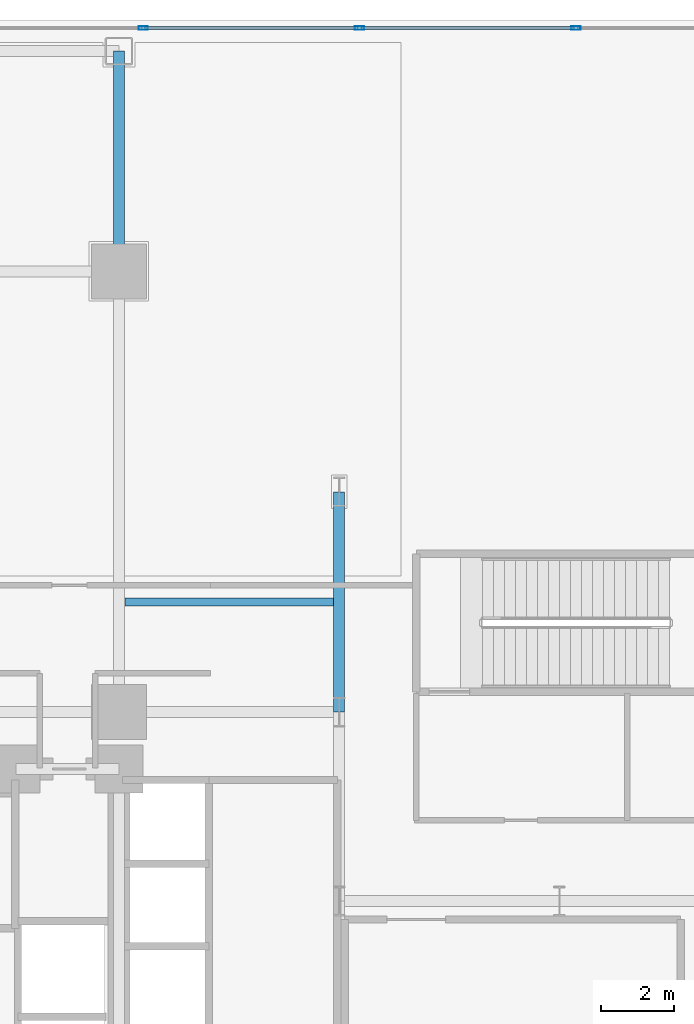
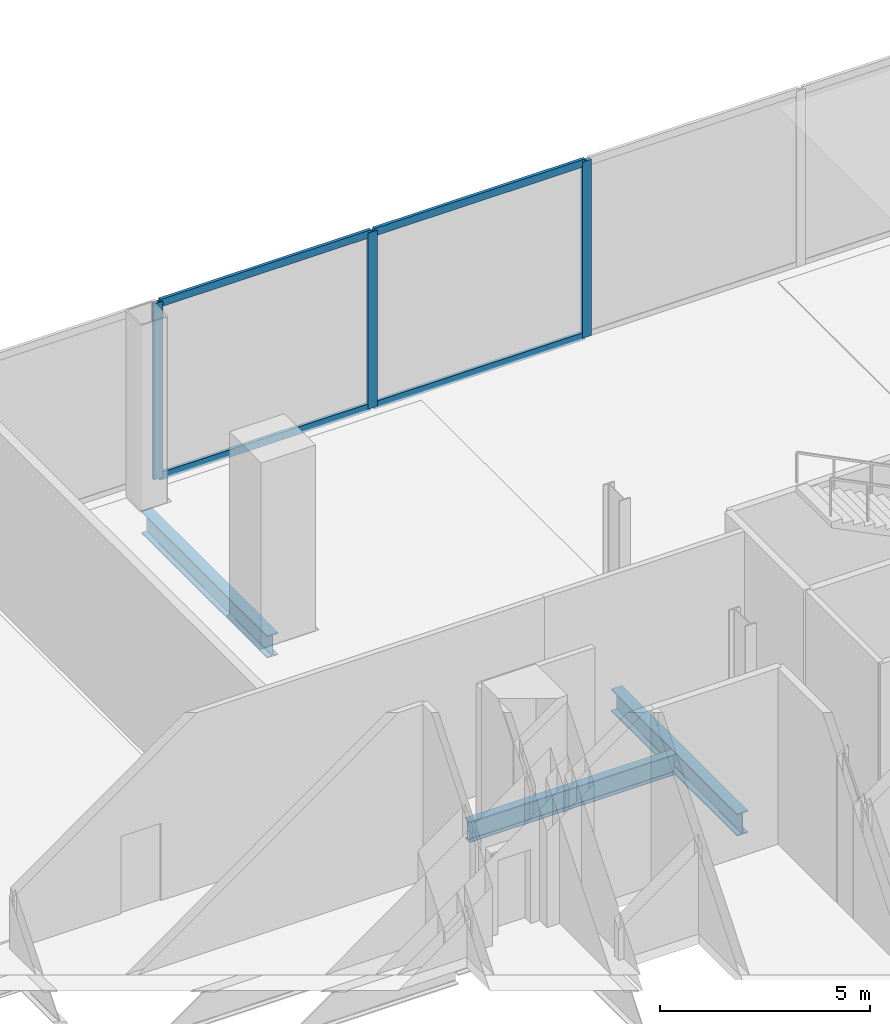
# One storey, part 15 of 27: 7 members, 3 beams, 1 element without a shape of its own.
"""IFC4 building model written with IfcOpenShell, lengths in metres."""

from ifc_helpers import new_model, si_unit, direction, frame, origin, origin_2d, place, context, subcontext, project, spatial, hollow_rectangle, i_section, extrude, material, layer, layer_set, material_profile, profile_set, type_object, element, aggregate, save


model = new_model("IFC4")

# Units and contexts
model_context = context("Model", 3, precision=1e-05, world=origin(), true_north=direction((0.0, 1.0)))
body_context = subcontext(model_context, "Body", "Model", "MODEL_VIEW")
ifc_project = project(units=[si_unit("LENGTHUNIT", "METRE"), si_unit("AREAUNIT", "SQUARE_METRE"), si_unit("VOLUMEUNIT", "CUBIC_METRE"), si_unit("PLANEANGLEUNIT", "RADIAN"), si_unit("MASSUNIT", "GRAM", prefix="KILO"), si_unit("THERMODYNAMICTEMPERATUREUNIT", "KELVIN"), si_unit("POWERUNIT", "WATT")], contexts=[model_context])

# Site, building, storey
site_placement = place(None, origin())
site = spatial("IfcSite", under=ifc_project, at=site_placement, CompositionType="ELEMENT")
building_placement = place(site_placement, origin())
building = spatial("IfcBuilding", under=site, at=building_placement, Name="Svarakhadi Broadcast Tower", CompositionType="ELEMENT")
storey_placement = place(building_placement, frame((0.0, 0.0, 5.699951171875)))
storey = spatial("IfcBuildingStorey", under=building, at=storey_placement, Name="L01", CompositionType="ELEMENT", Elevation=5.699951171875)

# Beam
ifc_material_1 = material(Name="Steel S355J2 (IS 2062 E350C)", Category="steel")
ifc_material_profile_1 = material_profile(ifc_material_1, i_section(OverallWidth=0.219970703125, OverallDepth=0.60009765625, WebThickness=0.011962890625, FlangeThickness=0.01904296875, FilletRadius=0.02392578125, at=origin_2d()), Name="NPB 600x220x122")
ifc_profile_set_1 = profile_set([ifc_material_profile_1], Name="Steel S355J2 (IS 2062 E350C)")
beam_type_1 = type_object("IfcBeamType", Name="Beam_NPB600", PredefinedType="BEAM", material=ifc_profile_set_1)
beam_placement = place(storey_placement, frame((18.159912109375, 32.14990234375, -0.599853515625), z_axis=(1.0, 0.0, 0.0), x_axis=(0.0, 1.0, 0.0)))
element("IfcBeam", 1, at=beam_placement, inside=storey, type_object=beam_type_1, Name="L01 Secondary Composite Beam SB016", PredefinedType="BEAM", context=body_context, shape_type="SweptSolid", body=[
    extrude(i_section(OverallWidth=0.219970703125, OverallDepth=0.60009765625, WebThickness=0.011962890625, FlangeThickness=0.01904296875, FilletRadius=0.02392578125, at=origin_2d()), origin(), (0.0, 0.0, 1.0), 5.68017578125),
])

# Curtain wall, members
ifc_material_2 = material(Name="Anodised Bronze Aluminium AA 6063-T6", Category="aluminium")
ifc_layer = layer(ifc_material_2, 0.25)
ifc_layer_set = layer_set([ifc_layer], Name="Anodised Bronze Aluminium AA 6063-T6")
curtain_wall_type = type_object("IfcCurtainWallType", Name="CW_Sys_01", PredefinedType="NOTDEFINED", material=ifc_layer_set)
curtain_wall_placement = place(storey_placement, origin())
curtain_wall = element("IfcCurtainWall", 2, at=curtain_wall_placement, inside=storey, type_object=curtain_wall_type, Name="L01 Unitised Facade Curtain Wall 05 Bay 2", PredefinedType="NOTDEFINED")
ifc_material_profile_2 = material_profile(ifc_material_2, hollow_rectangle(XDim=0.094970703125, YDim=0.25, WallThickness=0.006103515625, at=origin_2d()), Name="ALU MULLION 250x95x6")
ifc_profile_set_2 = profile_set([ifc_material_profile_2], Name="Anodised Bronze Aluminium AA 6063-T6")
member_type_1 = type_object("IfcMemberType", Name="CW_Sys_01_Mul", PredefinedType="MULLION", material=ifc_profile_set_2)
member_1_placement = place(storey_placement, frame((18.66259765625, 47.780029296875, 0.0), z_axis=(0.0, 0.0, 1.0), x_axis=(0.0, 1.0, 0.0)))
member_1 = element("IfcMember", 3, at=member_1_placement, type_object=member_type_1, Name="CW-01 mullion 2", PredefinedType="MULLION", context=body_context, shape_type="SweptSolid", body=[
    extrude(hollow_rectangle(XDim=0.094970703125, YDim=0.25, WallThickness=0.006103515625, at=origin_2d()), origin(), (0.0, 0.0, 1.0), 5.125),
])
member_2_placement = place(storey_placement, frame((24.554931640625, 47.780029296875, 0.0), z_axis=(0.0, 0.0, 1.0), x_axis=(0.0, 1.0, 0.0)))
member_2 = element("IfcMember", 4, at=member_2_placement, type_object=member_type_1, Name="CW-01 mullion 3", PredefinedType="MULLION", context=body_context, shape_type="SweptSolid", body=[
    extrude(hollow_rectangle(XDim=0.094970703125, YDim=0.25, WallThickness=0.006103515625, at=origin_2d()), origin(), (0.0, 0.0, 1.0), 5.125),
])
member_3_placement = place(storey_placement, frame((30.447509765625, 47.780029296875, 0.0), z_axis=(0.0, 0.0, 1.0), x_axis=(0.0, 1.0, 0.0)))
member_3 = element("IfcMember", 5, at=member_3_placement, type_object=member_type_1, Name="CW-01 mullion 4", PredefinedType="MULLION", context=body_context, shape_type="SweptSolid", body=[
    extrude(hollow_rectangle(XDim=0.094970703125, YDim=0.25, WallThickness=0.006103515625, at=origin_2d()), origin(), (0.0, 0.0, 1.0), 5.125),
])
ifc_material_profile_3 = material_profile(ifc_material_2, hollow_rectangle(XDim=0.0849609375, YDim=0.219970703125, WallThickness=0.0048828125, at=origin_2d()), Name="ALU TRANSOM 220x85x5")
ifc_profile_set_3 = profile_set([ifc_material_profile_3], Name="Anodised Bronze Aluminium AA 6063-T6")
member_type_2 = type_object("IfcMemberType", Name="CW_Sys_01_Trn", PredefinedType="USERDEFINED", material=ifc_profile_set_3)
member_4_placement = place(storey_placement, frame((18.7099609375, 47.780029296875, 0.04248046875), z_axis=(1.0, 0.0, 0.0), x_axis=(0.0, 1.0, 0.0)))
member_4 = element("IfcMember", 6, at=member_4_placement, type_object=member_type_2, Name="CW-01 transom 2.1", ObjectType="TRANSOM", PredefinedType="USERDEFINED", context=body_context, shape_type="SweptSolid", body=[
    extrude(hollow_rectangle(XDim=0.0849609375, YDim=0.219970703125, WallThickness=0.0048828125, at=origin_2d()), origin(), (0.0, 0.0, 1.0), 5.797607421875),
])
member_5_placement = place(storey_placement, frame((18.7099609375, 47.780029296875, 5.08251953125), z_axis=(1.0, 0.0, 0.0), x_axis=(0.0, 1.0, 0.0)))
member_5 = element("IfcMember", 7, at=member_5_placement, type_object=member_type_2, Name="CW-01 transom 2.2", ObjectType="TRANSOM", PredefinedType="USERDEFINED", context=body_context, shape_type="SweptSolid", body=[
    extrude(hollow_rectangle(XDim=0.0849609375, YDim=0.219970703125, WallThickness=0.0048828125, at=origin_2d()), origin(), (0.0, 0.0, 1.0), 5.797607421875),
])
member_6_placement = place(storey_placement, frame((24.6025390625, 47.780029296875, 0.04248046875), z_axis=(1.0, 0.0, 0.0), x_axis=(0.0, 1.0, 0.0)))
member_6 = element("IfcMember", 8, at=member_6_placement, type_object=member_type_2, Name="CW-01 transom 3.1", ObjectType="TRANSOM", PredefinedType="USERDEFINED", context=body_context, shape_type="SweptSolid", body=[
    extrude(hollow_rectangle(XDim=0.0849609375, YDim=0.219970703125, WallThickness=0.0048828125, at=origin_2d()), origin(), (0.0, 0.0, 1.0), 5.79736328125),
])
member_7_placement = place(storey_placement, frame((24.6025390625, 47.780029296875, 5.08251953125), z_axis=(1.0, 0.0, 0.0), x_axis=(0.0, 1.0, 0.0)))
member_7 = element("IfcMember", 9, at=member_7_placement, type_object=member_type_2, Name="CW-01 transom 3.2", ObjectType="TRANSOM", PredefinedType="USERDEFINED", context=body_context, shape_type="SweptSolid", body=[
    extrude(hollow_rectangle(XDim=0.0849609375, YDim=0.219970703125, WallThickness=0.0048828125, at=origin_2d()), origin(), (0.0, 0.0, 1.0), 5.79736328125),
])
aggregate(curtain_wall, [member_1, member_2, member_3, member_4, member_5, member_6, member_7])

# Beams
ifc_material_profile_4 = material_profile(ifc_material_1, i_section(OverallWidth=0.300048828125, OverallDepth=0.64990234375, WebThickness=0.01611328125, FlangeThickness=0.031005859375, FilletRadius=0.027099609375, at=origin_2d()), Name="WPB 650x300x225")
ifc_profile_set_4 = profile_set([ifc_material_profile_4], Name="Steel S355J2 (IS 2062 E350C)")
beam_type_2 = type_object("IfcBeamType", Name="Girder_WPB650", PredefinedType="USERDEFINED", material=ifc_profile_set_4)
for number, where, z_axis, x_axis, name in (
    (10, (18.0, 41.14990234375, -0.625), (0.0, 1.0, 0.0), (-1.0, 0.0, 0.0), "L01 Primary N-S Girder G063"),
    (11, (24.0, 29.14990234375, -0.625), (0.0, 1.0, 0.0), (-1.0, 0.0, 0.0), "L01 Primary N-S Girder G069"),
):
    element("IfcBeam", number, at=place(storey_placement, frame(where, z_axis=z_axis, x_axis=x_axis)), inside=storey, type_object=beam_type_2, Name=name, ObjectType="GIRDER", PredefinedType="USERDEFINED", context=body_context, shape_type="SweptSolid", body=[
        extrude(i_section(OverallWidth=0.300048828125, OverallDepth=0.64990234375, WebThickness=0.01611328125, FlangeThickness=0.031005859375, FilletRadius=0.027099609375, at=origin_2d()), origin(), (0.0, 0.0, 1.0), 6.0),
    ])

save(model, "model.ifc")
